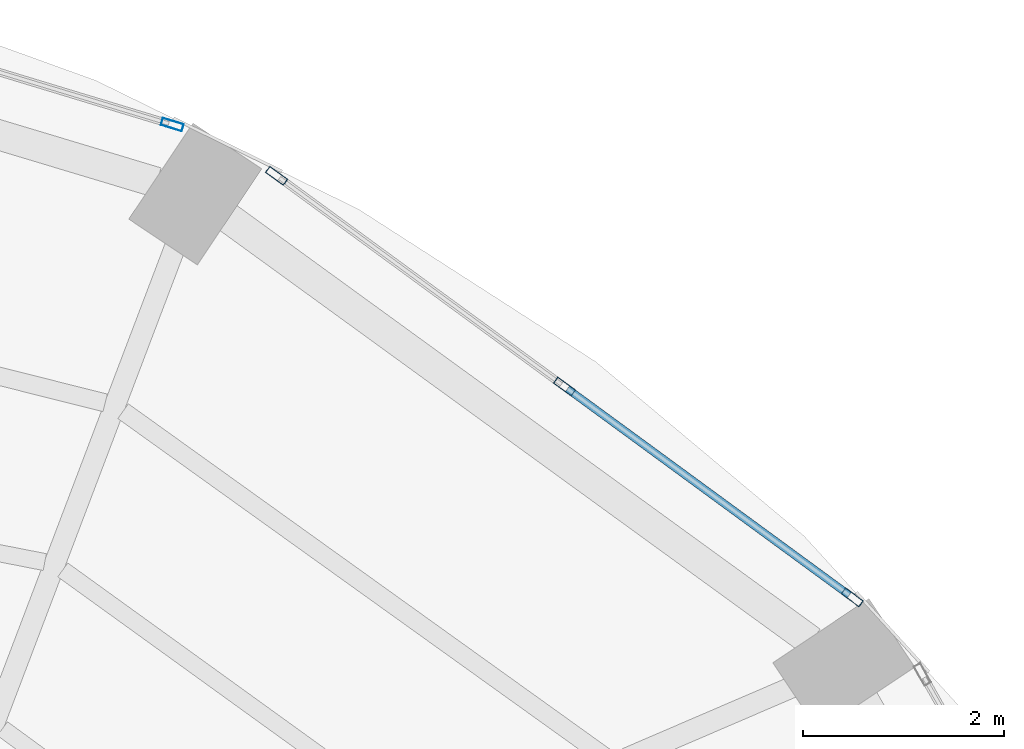
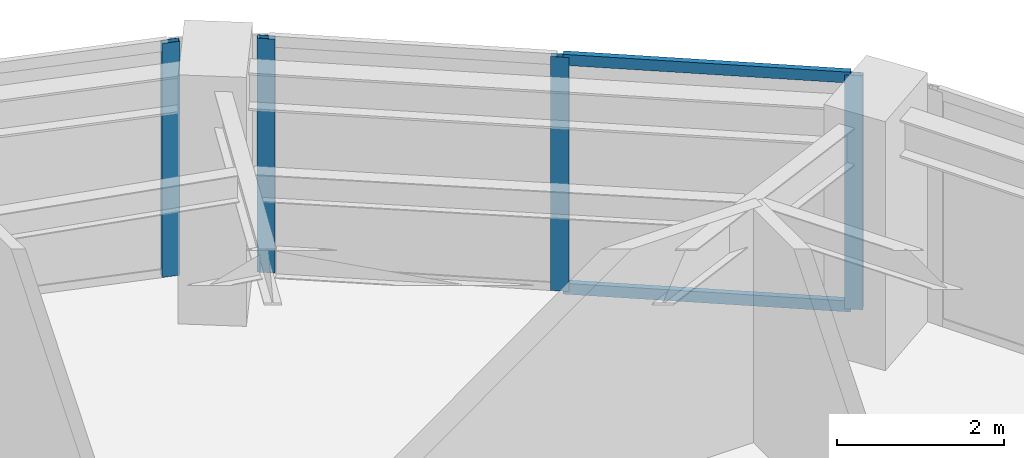
# One storey, part 14 of 20: 6 members, 2 elements without a shape of their own.
"""IFC4 building model written with IfcOpenShell, lengths in metres."""

from ifc_helpers import new_model, si_unit, direction, frame, origin, origin_2d, place, context, subcontext, project, spatial, hollow_rectangle, extrude, material, layer, layer_set, material_profile, profile_set, type_object, element, aggregate, save


model = new_model("IFC4")

# Units and contexts
model_context = context("Model", 3, precision=1e-05, world=origin(), true_north=direction((0.0, 1.0)))
body_context = subcontext(model_context, "Body", "Model", "MODEL_VIEW")
ifc_project = project(units=[si_unit("LENGTHUNIT", "METRE"), si_unit("AREAUNIT", "SQUARE_METRE"), si_unit("VOLUMEUNIT", "CUBIC_METRE"), si_unit("PLANEANGLEUNIT", "RADIAN"), si_unit("MASSUNIT", "GRAM", prefix="KILO")], contexts=[model_context])

# Site, building, storey
site_placement = place(None, origin())
site = spatial("IfcSite", under=ifc_project, at=site_placement, CompositionType="ELEMENT")
building_placement = place(site_placement, origin())
building = spatial("IfcBuilding", under=site, at=building_placement, Name="Lazwardi Medical Tower", CompositionType="ELEMENT")
storey_placement = place(building_placement, frame((0.0, 0.0, 152.8798828125)))
storey = spatial("IfcBuildingStorey", under=building, at=storey_placement, Name="L39", CompositionType="ELEMENT", Elevation=152.8798828125)

# Curtain wall, members
ifc_material_1 = material(Name="Anodised bronze aluminium and solar control glazing", Category="aluminium")
ifc_layer = layer(ifc_material_1, 0.195068359375)
ifc_layer_set = layer_set([ifc_layer], Name="Anodised bronze aluminium and solar control glazing")
curtain_wall_type = type_object("IfcCurtainWallType", Name="CW-SYS-03", PredefinedType="NOTDEFINED", material=ifc_layer_set)
curtain_wall_1_placement = place(storey_placement, origin())
curtain_wall_1 = element("IfcCurtainWall", 1, at=curtain_wall_1_placement, inside=storey, type_object=curtain_wall_type, Name="L39 Unitised bronze curtain wall CW-03", PredefinedType="NOTDEFINED")
ifc_material_2 = material(Name="Anodised bronze aluminium", Category="aluminium")
ifc_material_profile_1 = material_profile(ifc_material_2, hollow_rectangle(XDim=0.074951171875, YDim=0.219970703125, WallThickness=0.00390625, at=origin_2d()), Name="ALU-MULLION 220x75x4")
ifc_profile_set_1 = profile_set([ifc_material_profile_1], Name="Anodised bronze aluminium")
member_type_1 = type_object("IfcMemberType", Name="CW-MUL-01", PredefinedType="MULLION", material=ifc_profile_set_1)
member_1_placement = place(storey_placement, frame((55.519775390625, 40.5029296875, 0.0), z_axis=(0.0, 0.0, 1.0), x_axis=(-0.590833862635, -0.806793249082, 0.0)))
member_1 = element("IfcMember", 2, at=member_1_placement, type_object=member_type_1, Name="CW-03 mullion 1", PredefinedType="MULLION", context=body_context, shape_type="SweptSolid", body=[
    extrude(hollow_rectangle(XDim=0.074951171875, YDim=0.219970703125, WallThickness=0.00390625, at=origin_2d()), origin(), (0.0, 0.0, 1.0), 3.42822265625),
])
member_2_placement = place(storey_placement, frame((52.65771484375, 42.598876953125, 0.0), z_axis=(0.0, 0.0, 1.0), x_axis=(-0.590833862635, -0.806793249082, 0.0)))
member_2 = element("IfcMember", 3, at=member_2_placement, type_object=member_type_1, Name="CW-03 mullion 2", PredefinedType="MULLION", context=body_context, shape_type="SweptSolid", body=[
    extrude(hollow_rectangle(XDim=0.074951171875, YDim=0.219970703125, WallThickness=0.00390625, at=origin_2d()), origin(), (0.0, 0.0, 1.0), 3.42822265625),
])
member_3_placement = place(storey_placement, frame((49.795654296875, 44.69482421875, 0.0), z_axis=(0.0, 0.0, 1.0), x_axis=(-0.590833862635, -0.806793249082, 0.0)))
member_3 = element("IfcMember", 4, at=member_3_placement, type_object=member_type_1, Name="CW-03 mullion 3", PredefinedType="MULLION", context=body_context, shape_type="SweptSolid", body=[
    extrude(hollow_rectangle(XDim=0.074951171875, YDim=0.219970703125, WallThickness=0.00390625, at=origin_2d()), origin(), (0.0, 0.0, 1.0), 3.42822265625),
])

# Curtain wall, member
curtain_wall_2_placement = place(storey_placement, origin())
curtain_wall_2 = element("IfcCurtainWall", 5, at=curtain_wall_2_placement, inside=storey, type_object=curtain_wall_type, Name="L39 Unitised bronze curtain wall CW-03", PredefinedType="NOTDEFINED")
member_4_placement = place(storey_placement, frame((48.758056640625, 45.203369140625, 0.0), z_axis=(0.0, 0.0, 1.0), x_axis=(-0.290280785441, -0.956941516292, 0.0)))
member_4 = element("IfcMember", 6, at=member_4_placement, type_object=member_type_1, Name="CW-03 mullion 1", PredefinedType="MULLION", context=body_context, shape_type="SweptSolid", body=[
    extrude(hollow_rectangle(XDim=0.074951171875, YDim=0.219970703125, WallThickness=0.00390625, at=origin_2d()), origin(), (0.0, 0.0, 1.0), 3.42822265625),
])
aggregate(curtain_wall_2, [member_4])

# Member
ifc_material_profile_2 = material_profile(ifc_material_2, hollow_rectangle(XDim=0.074951171875, YDim=0.159912109375, WallThickness=0.00390625, at=origin_2d()), Name="ALU-TRANSOM 160x75x4")
ifc_profile_set_2 = profile_set([ifc_material_profile_2], Name="Anodised bronze aluminium")
member_type_2 = type_object("IfcMemberType", Name="CW-TRN-01", PredefinedType="USERDEFINED", material=ifc_profile_set_2)
member_5_placement = place(storey_placement, frame((55.489501953125, 40.525146484375, 0.03759765625), z_axis=(-0.806807161185, 0.590814864962, 0.0), x_axis=(-0.590814864962, -0.806807161185, 0.0)))
member_5 = element("IfcMember", 7, at=member_5_placement, type_object=member_type_2, Name="CW-03 transom 1.1", ObjectType="TRANSOM", PredefinedType="USERDEFINED", context=body_context, shape_type="SweptSolid", body=[
    extrude(hollow_rectangle(XDim=0.074951171875, YDim=0.159912109375, WallThickness=0.00390625, at=origin_2d()), origin(), (0.0, 0.0, 1.0), 3.472412109375),
])

member_6_placement = place(storey_placement, frame((55.489501953125, 40.525146484375, 3.390625), z_axis=(-0.806807161185, 0.590814864962, 0.0), x_axis=(-0.590814864962, -0.806807161185, 0.0)))
member_6 = element("IfcMember", 8, at=member_6_placement, type_object=member_type_2, Name="CW-03 transom 1.2", ObjectType="TRANSOM", PredefinedType="USERDEFINED", context=body_context, shape_type="SweptSolid", body=[
    extrude(hollow_rectangle(XDim=0.074951171875, YDim=0.159912109375, WallThickness=0.00390625, at=origin_2d()), origin(), (0.0, 0.0, 1.0), 3.472412109375),
])

aggregate(curtain_wall_1, [member_1, member_2, member_3, member_5, member_6])

save(model, "model.ifc")
